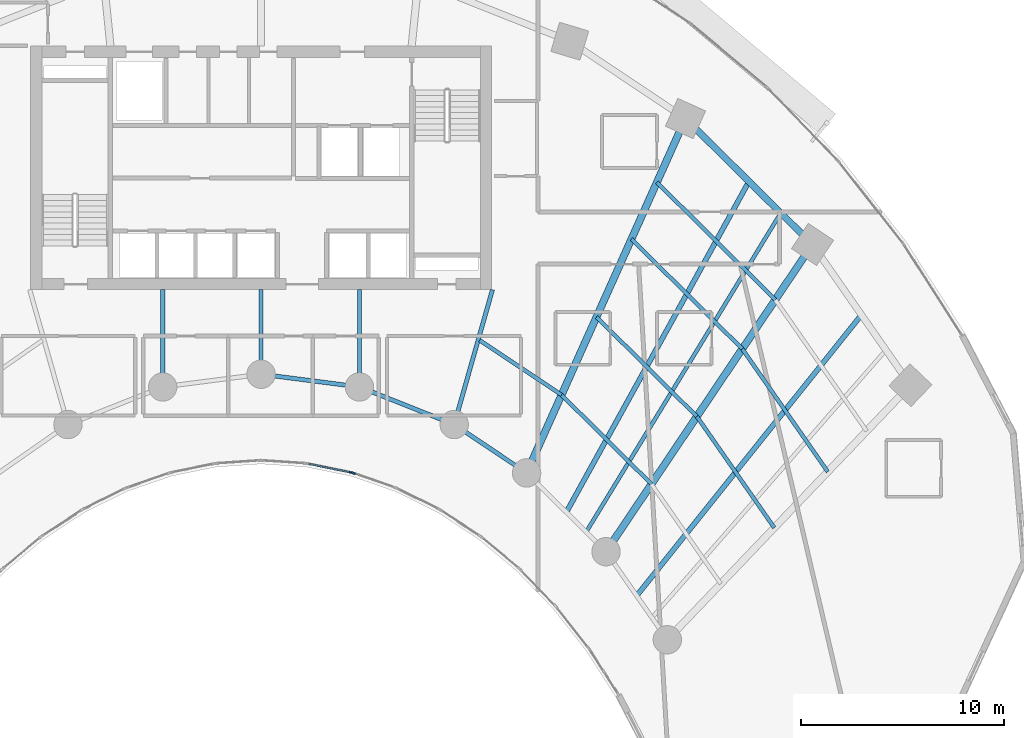
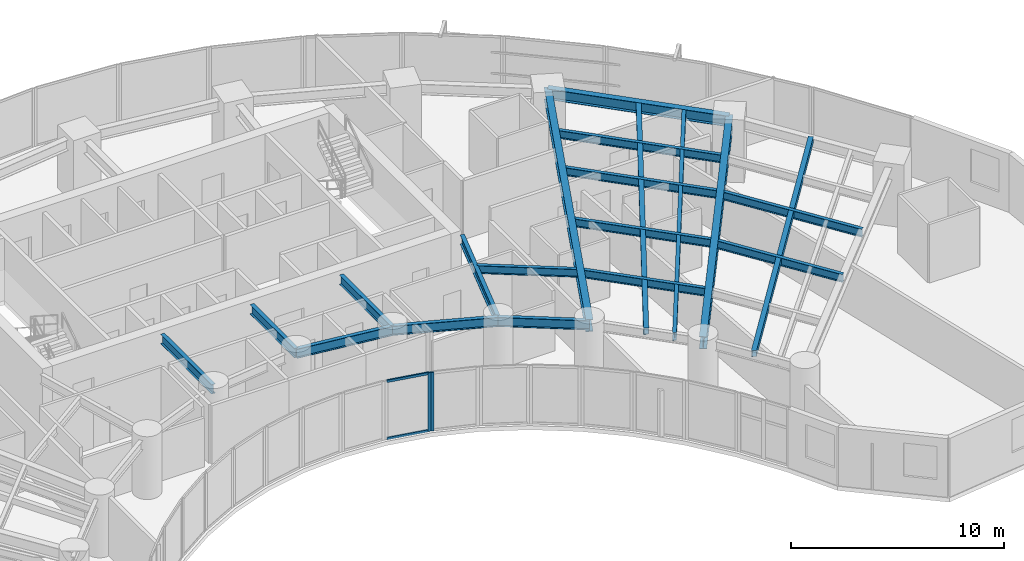
# One storey, part 5 of 17: 20 beams, 4 members, 2 elements without a shape of their own.
"""IFC4 building model written with IfcOpenShell, lengths in metres."""

import ifcopenshell
import ifcopenshell.guid

model = None  # the IFC model being written
_history = None  # IfcOwnerHistory: only IFC2X3 demands one
_inside = {}  # id of a spatial element -> (the spatial element, [elements in it])
_under = {}  # id of a project, library or spatial element -> (it, [spatial elements below it])
_declared = {}  # id of a project -> (the project, [libraries it declares])
_typed = {}  # id of a type object -> (the type object, [elements of that type])
_made_of = {}  # id of a material, layer set ... -> (it, [elements and type objects made of it])


def new_model(schema):
    """Start an empty IFC model of exactly this schema.

    Asked for "IFC4X3", IfcOpenShell would pick the latest addendum, in which some entities
    have other attributes; the version numbers below select the first issue.
    IFC2X3 requires an IfcOwnerHistory on every rooted entity: one is made here for all.
    """
    global model, _history
    if schema == "IFC4X3":
        model = ifcopenshell.file(schema_version=(4, 3, 0, 0))
    else:
        model = ifcopenshell.file(schema=schema)
    _inside.clear()
    _under.clear()
    _declared.clear()
    _typed.clear()
    _made_of.clear()
    _history = None
    if model.schema == "IFC2X3":
        org = make("IfcOrganization", Name="unknown")
        user = make(
            "IfcPersonAndOrganization",
            ThePerson=make("IfcPerson", FamilyName="unknown"),
            TheOrganization=org,
        )
        app = make(
            "IfcApplication",
            ApplicationDeveloper=org,
            Version="unknown",
            ApplicationFullName="unknown",
            ApplicationIdentifier="unknown",
        )
        _history = make(
            "IfcOwnerHistory",
            OwningUser=user,
            OwningApplication=app,
            ChangeAction="ADDED",
            CreationDate=0,
        )
    return model


def make(cls, **values):
    """One entity of the class cls with the attributes given. An attribute that is None is left unset."""
    return model.create_entity(
        cls, **{name: value for name, value in values.items() if value is not None}
    )


def rooted(cls, **values):
    """An entity with a GlobalId (a new one), such as an element, a storey or a relation."""
    return make(cls, GlobalId=ifcopenshell.guid.new(), OwnerHistory=_history, **values)


def si_unit(unit_type, name, prefix=None):
    """IfcSIUnit, for example si_unit("LENGTHUNIT", "METRE", prefix="MILLI")."""
    return make("IfcSIUnit", UnitType=unit_type, Prefix=prefix, Name=name)


def assignment(units):
    """IfcUnitAssignment: the units of a project."""
    return None if units is None else make("IfcUnitAssignment", Units=units)


def point(xyz):
    """IfcCartesianPoint."""
    return None if xyz is None else make("IfcCartesianPoint", Coordinates=xyz)


def direction(xyz):
    """IfcDirection."""
    return None if xyz is None else make("IfcDirection", DirectionRatios=xyz)


def frame(location, z_axis=None, x_axis=None):
    """IfcAxis2Placement3D, a coordinate frame: its origin and axes. An axis left out is left unset."""
    return make(
        "IfcAxis2Placement3D",
        Location=point(location),
        Axis=direction(z_axis),
        RefDirection=direction(x_axis),
    )


def frame_2d(location, x_axis=None):
    """IfcAxis2Placement2D, a coordinate frame in the plane: its origin and x axis."""
    return make(
        "IfcAxis2Placement2D", Location=point(location), RefDirection=direction(x_axis)
    )


def origin():
    """The frame at (0, 0, 0) with its axes left unset."""
    return frame((0.0, 0.0, 0.0))


def origin_2d():
    """The frame at (0, 0) in the plane with its x axis left unset."""
    return frame_2d((0.0, 0.0))


def place(relative_to, where):
    """IfcLocalPlacement: puts the frame where relative to a parent placement (None: the world)."""
    return make(
        "IfcLocalPlacement", PlacementRelTo=relative_to, RelativePlacement=where
    )


def context(
    kind, dimensions, precision=None, world=None, true_north=None, identifier=None
):
    """IfcGeometricRepresentationContext, for example the 3D "Model" context."""
    return make(
        "IfcGeometricRepresentationContext",
        ContextIdentifier=identifier,
        ContextType=kind,
        CoordinateSpaceDimension=dimensions,
        Precision=precision,
        WorldCoordinateSystem=world,
        TrueNorth=true_north,
    )


def subcontext(parent, identifier, kind, view, scale=None):
    """IfcGeometricRepresentationSubContext, for example "Body" below "Model"."""
    return make(
        "IfcGeometricRepresentationSubContext",
        ContextIdentifier=identifier,
        ContextType=kind,
        ParentContext=parent,
        TargetScale=scale,
        TargetView=view,
    )


def project(units=None, contexts=None):
    """IfcProject with its units and contexts."""
    return rooted(
        "IfcProject",
        Name="project",
        RepresentationContexts=contexts,
        UnitsInContext=assignment(units),
    )


def spatial(cls, under=None, at=None, **own):
    """A site, building, storey or space (cls), placed at a placement, below another one or the project."""
    s = rooted(cls, ObjectPlacement=at, **own)
    if under is not None:
        _under.setdefault(under.id(), (under, []))[1].append(s)
    return s


def profile(cls, at=None, kind="AREA", **sizes):
    """A parametric profile (cls). Its sizes go by their IFC names, for example OverallWidth=200.0."""
    return make(cls, ProfileType=kind, Position=at, **sizes)


def rectangle(**sizes):
    """IfcRectangleProfileDef."""
    return profile("IfcRectangleProfileDef", **sizes)


def hollow_rectangle(**sizes):
    """IfcRectangleHollowProfileDef."""
    return profile("IfcRectangleHollowProfileDef", **sizes)


def i_section(**sizes):
    """IfcIShapeProfileDef."""
    return profile("IfcIShapeProfileDef", **sizes)


def extrude(swept, where, along, depth):
    """IfcExtrudedAreaSolid: the profile swept, set in the frame where, extruded along a direction by depth."""
    return make(
        "IfcExtrudedAreaSolid",
        SweptArea=swept,
        Position=where,
        ExtrudedDirection=direction(along),
        Depth=depth,
    )


def shape(context_of_items, identifier, shape_type, items):
    """IfcShapeRepresentation: the items that make up one representation, for example the "Body"."""
    return make(
        "IfcShapeRepresentation",
        ContextOfItems=context_of_items,
        RepresentationIdentifier=identifier,
        RepresentationType=shape_type,
        Items=items,
    )


def source(mapping_origin, context_of_items, identifier, shape_type, items):
    """IfcRepresentationMap: a shape defined once, which mapped items show again and again."""
    return make(
        "IfcRepresentationMap",
        MappingOrigin=mapping_origin,
        MappedRepresentation=shape(context_of_items, identifier, shape_type, items),
    )


def transform(
    local_origin,
    x_axis=None,
    y_axis=None,
    z_axis=None,
    scale=None,
    scale2=None,
    scale3=None,
    uniform=True,
):
    """IfcCartesianTransformationOperator3D, or its non-uniform kind. x_axis, y_axis, z_axis: its Axis1, 2, 3."""
    if uniform:
        return make(
            "IfcCartesianTransformationOperator3D",
            Axis1=direction(x_axis),
            Axis2=direction(y_axis),
            LocalOrigin=point(local_origin),
            Scale=scale,
            Axis3=direction(z_axis),
        )
    return make(
        "IfcCartesianTransformationOperator3DnonUniform",
        Axis1=direction(x_axis),
        Axis2=direction(y_axis),
        LocalOrigin=point(local_origin),
        Scale=scale,
        Axis3=direction(z_axis),
        Scale2=scale2,
        Scale3=scale3,
    )


def mapped(mapping_source, mapping_target):
    """IfcMappedItem: shows the shape of a source again, moved by a transform."""
    return make(
        "IfcMappedItem", MappingSource=mapping_source, MappingTarget=mapping_target
    )


def material(Name=None, Category=None):
    """IfcMaterial."""
    return make("IfcMaterial", Name=Name, Category=Category)


def layer(
    of_material, thickness, ventilated=None, Name=None, Category=None, Priority=None
):
    """IfcMaterialLayer: one layer of a wall or slab, of a material (None: an air gap)."""
    return make(
        "IfcMaterialLayer",
        Material=of_material,
        LayerThickness=thickness,
        IsVentilated=ventilated,
        Name=Name,
        Category=Category,
        Priority=Priority,
    )


def layer_set(layers, Name=None):
    """IfcMaterialLayerSet."""
    return make("IfcMaterialLayerSet", MaterialLayers=layers, LayerSetName=Name)


def material_profile(
    of_material, cross_section, Name=None, Category=None, Priority=None
):
    """IfcMaterialProfile: a cross section and its material."""
    return make(
        "IfcMaterialProfile",
        Name=Name,
        Material=of_material,
        Profile=cross_section,
        Priority=Priority,
        Category=Category,
    )


def profile_set(profiles, Name=None, composite=None):
    """IfcMaterialProfileSet."""
    return make(
        "IfcMaterialProfileSet",
        Name=Name,
        MaterialProfiles=profiles,
        CompositeProfile=composite,
    )


def made_of(thing, what):
    """Note that an element or type object is made of a material, layer set ...; save() writes the relation."""
    if what is not None:
        _made_of.setdefault(what.id(), (what, []))[1].append(thing)
    return thing


def type_object(cls, material=None, **own):
    """A type object (cls), such as IfcWallType, which elements share."""
    return made_of(rooted(cls, **own), material)


def type_shapes(of_type, sources):
    """Give a type object the sources (RepresentationMaps) that its elements show as mapped items."""
    of_type.RepresentationMaps = sources


def element(
    cls,
    number,
    at=None,
    inside=None,
    cuts=None,
    type_object=None,
    material=None,
    context=None,
    identifier="Body",
    shape_type=None,
    held_by="IfcProductDefinitionShape",
    body=None,
    shapes=None,
    **own,
):
    """One element of the class cls, such as IfcWall. Its Tag is "e" and its number.

    at: its placement. inside: the storey or other place that contains it. cuts: it is an
    opening in that element (IfcRelVoidsElement). A single representation is given by context,
    identifier, shape_type and body (its items); several are given by shapes. held_by: the class
    of the entity that holds the representations. save() writes the other relations.
    """
    e = rooted(cls, Tag="e%d" % number, ObjectPlacement=at, **own)
    if body is not None:
        shapes = [shape(context, identifier, shape_type, body)]
    if shapes is not None:
        e.Representation = make(held_by, Representations=shapes)
    if inside is not None:
        _inside.setdefault(inside.id(), (inside, []))[1].append(e)
    if cuts is not None:
        rooted(
            "IfcRelVoidsElement", RelatingBuildingElement=cuts, RelatedOpeningElement=e
        )
    if type_object is not None:
        _typed.setdefault(type_object.id(), (type_object, []))[1].append(e)
    return made_of(e, material)


def aggregate(whole, parts):
    """IfcRelAggregates: a whole, such as a stair, and the parts it consists of."""
    return rooted("IfcRelAggregates", RelatingObject=whole, RelatedObjects=parts)


def save(model, path):
    """Write the relations noted so far, then the file.

    IfcRelAggregates (storeys below a building ...), IfcRelContainedInSpatialStructure (elements
    in a storey), IfcRelDefinesByType, IfcRelAssociatesMaterial and IfcRelDeclares: one each for
    every whole, place, type object, material and project.
    """
    for whole, parts in _under.values():
        aggregate(whole, parts)
    for where, things in _inside.values():
        rooted(
            "IfcRelContainedInSpatialStructure",
            RelatedElements=things,
            RelatingStructure=where,
        )
    for kind, things in _typed.values():
        rooted("IfcRelDefinesByType", RelatedObjects=things, RelatingType=kind)
    for what, things in _made_of.values():
        rooted("IfcRelAssociatesMaterial", RelatedObjects=things, RelatingMaterial=what)
    for by, libraries in _declared.values():
        rooted("IfcRelDeclares", RelatingContext=by, RelatedDefinitions=libraries)
    model.write(path)


model = new_model("IFC4")

# Units and contexts
model_context = context("Model", 3, precision=1e-05, world=origin(), true_north=direction((0.0, 1.0)))
body_context = subcontext(model_context, "Body", "Model", "MODEL_VIEW")
ifc_project = project(units=[si_unit("LENGTHUNIT", "METRE"), si_unit("AREAUNIT", "SQUARE_METRE"), si_unit("VOLUMEUNIT", "CUBIC_METRE"), si_unit("PLANEANGLEUNIT", "RADIAN"), si_unit("MASSUNIT", "GRAM", prefix="KILO")], contexts=[model_context])

# Site, building, storey
site_placement = place(None, origin())
site = spatial("IfcSite", under=ifc_project, at=site_placement, CompositionType="ELEMENT")
building_placement = place(site_placement, origin())
building = spatial("IfcBuilding", under=site, at=building_placement, Name="Breltana Convention Tower", CompositionType="ELEMENT")
storey_placement = place(building_placement, frame((0.0, 0.0, 78.60009765625)))
storey = spatial("IfcBuildingStorey", under=building, at=storey_placement, Name="L18", CompositionType="ELEMENT", Elevation=78.60009765625)

# Beams
ifc_material_1 = material(Name="Steel ASTM A992 Grade 50", Category="steel")
ifc_material_profile_1 = material_profile(ifc_material_1, i_section(OverallWidth=0.323974609375, OverallDepth=0.611083984375, WebThickness=0.0126953125, FlangeThickness=0.01904296875, at=origin_2d()), Name="W24X104")
ifc_profile_set_1 = profile_set([ifc_material_profile_1], Name="Steel ASTM A992 Grade 50")
beam_type_1 = type_object("IfcBeamType", Name="BM-SP-W24X104", PredefinedType="SPANDREL", material=ifc_profile_set_1)
shared_shape_1 = source(origin(), body_context, "Body", "SweptSolid", [
    extrude(i_section(OverallWidth=0.323974609375, OverallDepth=0.611083984375, WebThickness=0.0126953125, FlangeThickness=0.01904296875, at=origin_2d()), origin(), (0.0, 0.0, 1.0), 8.810302734375),
])
beam_1_placement = place(storey_placement, frame((68.910400390625, 68.63330078125, 3.054443359375), z_axis=(0.710120823582, -0.704079836322, 0.0), x_axis=(0.704079836322, 0.710120823582, 0.0)))
element("IfcBeam", 1, at=beam_1_placement, inside=storey, type_object=beam_type_1, Name="L18 Outer Spandrel Beam 09", PredefinedType="SPANDREL", context=body_context, shape_type="MappedRepresentation", body=[
    mapped(shared_shape_1, transform((0.0, 0.0, 0.0), scale=1.0)),
])
ifc_material_profile_2 = material_profile(ifc_material_1, i_section(OverallWidth=0.2099609375, OverallDepth=0.537109375, WebThickness=0.010986328125, FlangeThickness=0.017333984375, at=origin_2d()), Name="W21X68")
ifc_profile_set_2 = profile_set([ifc_material_profile_2], Name="Steel ASTM A992 Grade 50")
beam_type_2 = type_object("IfcBeamType", Name="BM-BM-W21X68", PredefinedType="BEAM", material=ifc_profile_set_2)
shared_shape_2 = source(origin(), body_context, "Body", "SweptSolid", [
    extrude(i_section(OverallWidth=0.2099609375, OverallDepth=0.537109375, WebThickness=0.010986328125, FlangeThickness=0.017333984375, at=origin_2d()), origin(), (0.0, 0.0, 1.0), 6.904541015625),
])
type_shapes(beam_type_2, [shared_shape_2])
beam_2_placement = place(storey_placement, frame((59.39990234375, 60.199951171875, 3.09130859375), z_axis=(-0.273006781054, -0.962012108811, 0.0), x_axis=(0.962012108811, -0.273006781054, 0.0)))
element("IfcBeam", 2, at=beam_2_placement, inside=storey, type_object=beam_type_2, Name="L18 South Core Tie Girder R08", PredefinedType="BEAM", context=body_context, shape_type="MappedRepresentation", body=[
    mapped(shared_shape_2, transform((0.0, 0.0, 0.0), scale=1.0)),
])
shared_shape_3 = source(origin(), body_context, "Body", "SweptSolid", [
    extrude(i_section(OverallWidth=0.2099609375, OverallDepth=0.537109375, WebThickness=0.010986328125, FlangeThickness=0.017333984375, at=origin_2d()), origin(), (0.0, 0.0, 1.0), 4.789306640625),
])
for number, where, z_axis, x_axis, name in (
    (3, (43.153564453125, 60.199951171875, 3.09130859375), (0.0, -1.0, 0.0), (1.0, 0.0, 0.0), "L18 South Core Tie Girder R05"),
    (4, (52.846435546875, 60.199951171875, 3.09130859375), (0.0, -1.0, 0.0), (1.0, 0.0, 0.0), "L18 South Core Tie Girder R07"),
):
    element("IfcBeam", number, at=place(storey_placement, frame(where, z_axis=z_axis, x_axis=x_axis)), inside=storey, type_object=beam_type_2, Name=name, PredefinedType="BEAM", context=body_context, shape_type="MappedRepresentation", body=[
        mapped(shared_shape_3, transform((0.0, 0.0, 0.0), scale=1.0)),
    ])
shared_shape_4 = source(origin(), body_context, "Body", "SweptSolid", [
    extrude(i_section(OverallWidth=0.2099609375, OverallDepth=0.537109375, WebThickness=0.010986328125, FlangeThickness=0.017333984375, at=origin_2d()), origin(), (0.0, 0.0, 1.0), 4.1640625),
])
beam_3_placement = place(storey_placement, frame((48.0, 60.199951171875, 3.09130859375), z_axis=(0.0, -1.0, 0.0), x_axis=(1.0, 0.0, 0.0)))
element("IfcBeam", 5, at=beam_3_placement, inside=storey, type_object=beam_type_2, Name="L18 South Core Tie Girder R06", PredefinedType="BEAM", context=body_context, shape_type="MappedRepresentation", body=[
    mapped(shared_shape_4, transform((0.0, 0.0, 0.0), scale=1.0)),
])
ifc_material_profile_3 = material_profile(ifc_material_1, i_section(OverallWidth=0.35498046875, OverallDepth=0.696044921875, WebThickness=0.015380859375, FlangeThickness=0.02490234375, at=origin_2d()), Name="W27X146")
ifc_profile_set_3 = profile_set([ifc_material_profile_3], Name="Steel ASTM A992 Grade 50")
beam_type_3 = type_object("IfcBeamType", Name="BM-RG-W27X146", PredefinedType="USERDEFINED", material=ifc_profile_set_3)
shared_shape_5 = source(origin(), body_context, "Body", "SweptSolid", [
    extrude(i_section(OverallWidth=0.35498046875, OverallDepth=0.696044921875, WebThickness=0.015380859375, FlangeThickness=0.02490234375, at=origin_2d()), origin(), (0.0, 0.0, 1.0), 19.133544921875),
])
beam_4_placement = place(storey_placement, frame((61.08203125, 51.174560546875, 3.011962890625), z_axis=(0.409144564164, 0.912469575172, 0.0), x_axis=(-0.912469575172, 0.409144564164, 0.0)))
element("IfcBeam", 6, at=beam_4_placement, inside=storey, type_object=beam_type_3, Name="L18 Radial Floor Girder R09", ObjectType="GIRDER", PredefinedType="USERDEFINED", context=body_context, shape_type="MappedRepresentation", body=[
    mapped(shared_shape_5, transform((0.0, 0.0, 0.0), scale=1.0)),
])
shared_shape_6 = source(origin(), body_context, "Body", "SweptSolid", [
    extrude(i_section(OverallWidth=0.35498046875, OverallDepth=0.696044921875, WebThickness=0.015380859375, FlangeThickness=0.02490234375, at=origin_2d()), origin(), (0.0, 0.0, 1.0), 18.236328125),
])
beam_5_placement = place(storey_placement, frame((64.995849609375, 47.293701171875, 3.011962890625), z_axis=(0.557730360975, 0.830022195153, 0.0), x_axis=(-0.830022195153, 0.557730360975, 0.0)))
element("IfcBeam", 7, at=beam_5_placement, inside=storey, type_object=beam_type_3, Name="L18 Radial Floor Girder R10", ObjectType="GIRDER", PredefinedType="USERDEFINED", context=body_context, shape_type="MappedRepresentation", body=[
    mapped(shared_shape_6, transform((0.0, 0.0, 0.0), scale=1.0)),
])
shared_shape_7 = source(origin(), body_context, "Body", "SweptSolid", [
    extrude(i_section(OverallWidth=0.2099609375, OverallDepth=0.537109375, WebThickness=0.010986328125, FlangeThickness=0.017333984375, at=origin_2d()), origin(), (0.0, 0.0, 1.0), 5.022705078125),
])
beam_6_placement = place(storey_placement, frame((52.846435546875, 55.41064453125, 3.09130859375), z_axis=(0.929458966248, -0.368925507469, 0.0), x_axis=(0.368925507469, 0.929458966248, 0.0)))
element("IfcBeam", 8, at=beam_6_placement, inside=storey, type_object=beam_type_2, Name="L18 Inner Ring Beam 07", PredefinedType="BEAM", context=body_context, shape_type="MappedRepresentation", body=[
    mapped(shared_shape_7, transform((0.0, 0.0, 0.0), scale=1.0)),
])
shared_shape_8 = source(origin(), body_context, "Body", "SweptSolid", [
    extrude(i_section(OverallWidth=0.2099609375, OverallDepth=0.537109375, WebThickness=0.010986328125, FlangeThickness=0.017333984375, at=origin_2d()), origin(), (0.0, 0.0, 1.0), 4.88671875),
])
beam_7_placement = place(storey_placement, frame((48.0, 56.035888671875, 3.09130859375), z_axis=(0.991780525565, -0.127950729231, 0.0), x_axis=(0.127950729231, 0.991780525565, 0.0)))
element("IfcBeam", 9, at=beam_7_placement, inside=storey, type_object=beam_type_2, Name="L18 Inner Ring Beam 06", PredefinedType="BEAM", context=body_context, shape_type="MappedRepresentation", body=[
    mapped(shared_shape_8, transform((0.0, 0.0, 0.0), scale=1.0)),
])
shared_shape_9 = source(origin(), body_context, "Body", "SweptSolid", [
    extrude(i_section(OverallWidth=0.2099609375, OverallDepth=0.537109375, WebThickness=0.010986328125, FlangeThickness=0.017333984375, at=origin_2d()), origin(), (0.0, 0.0, 1.0), 4.2900390625),
])
beam_8_placement = place(storey_placement, frame((57.514892578125, 53.5576171875, 3.09130859375), z_axis=(0.831515827753, -0.555501060482, 0.0), x_axis=(0.555501060482, 0.831515827753, 0.0)))
element("IfcBeam", 10, at=beam_8_placement, inside=storey, type_object=beam_type_2, Name="L18 Inner Ring Beam 08", PredefinedType="BEAM", context=body_context, shape_type="MappedRepresentation", body=[
    mapped(shared_shape_9, transform((0.0, 0.0, 0.0), scale=1.0)),
])
ifc_material_profile_4 = material_profile(ifc_material_1, i_section(OverallWidth=0.19091796875, OverallDepth=0.4599609375, WebThickness=0.010009765625, FlangeThickness=0.01611328125, at=origin_2d()), Name="W18X55")
ifc_profile_set_4 = profile_set([ifc_material_profile_4], Name="Steel ASTM A992 Grade 50")
beam_type_4 = type_object("IfcBeamType", Name="BM-JSG-07", PredefinedType="JOIST", material=ifc_profile_set_4)
shared_shape_10 = source(origin(), body_context, "Body", "SweptSolid", [
    extrude(i_section(OverallWidth=0.19091796875, OverallDepth=0.4599609375, WebThickness=0.010009765625, FlangeThickness=0.01611328125, at=origin_2d()), origin(), (0.0, 0.0, 1.0), 4.854736328125),
])
beam_9_placement = place(storey_placement, frame((58.767578125, 57.71240234375, 3.1298828125), z_axis=(0.831485074305, -0.555547091801, 0.0), x_axis=(0.555547091801, 0.831485074305, 0.0)))
element("IfcBeam", 11, at=beam_9_placement, inside=storey, type_object=beam_type_4, Name="L18 Composite Floor Joist 08.1", PredefinedType="JOIST", context=body_context, shape_type="MappedRepresentation", body=[
    mapped(shared_shape_10, transform((0.0, 0.0, 0.0), scale=1.0)),
])
shared_shape_11 = source(origin(), body_context, "Body", "SweptSolid", [
    extrude(i_section(OverallWidth=0.19091796875, OverallDepth=0.4599609375, WebThickness=0.010009765625, FlangeThickness=0.01611328125, at=origin_2d()), origin(), (0.0, 0.0, 1.0), 6.2373046875),
])
beam_10_placement = place(storey_placement, frame((62.80419921875, 55.015380859375, 3.1298828125), z_axis=(0.710114292485, -0.704086423394, 0.0), x_axis=(0.704086423394, 0.710114292485, 0.0)))
element("IfcBeam", 12, at=beam_10_placement, inside=storey, type_object=beam_type_4, Name="L18 Composite Floor Joist 09.1", PredefinedType="JOIST", context=body_context, shape_type="MappedRepresentation", body=[
    mapped(shared_shape_11, transform((0.0, 0.0, 0.0), scale=1.0)),
])
shared_shape_12 = source(origin(), body_context, "Body", "SweptSolid", [
    extrude(i_section(OverallWidth=0.19091796875, OverallDepth=0.4599609375, WebThickness=0.010009765625, FlangeThickness=0.01611328125, at=origin_2d()), origin(), (0.0, 0.0, 1.0), 6.963134765625),
])
beam_11_placement = place(storey_placement, frame((64.526611328125, 58.8564453125, 3.1298828125), z_axis=(0.71009817493, -0.704102678564, 0.0), x_axis=(0.704102678564, 0.71009817493, 0.0)))
element("IfcBeam", 13, at=beam_11_placement, inside=storey, type_object=beam_type_4, Name="L18 Composite Floor Joist 09.2", PredefinedType="JOIST", context=body_context, shape_type="MappedRepresentation", body=[
    mapped(shared_shape_12, transform((0.0, 0.0, 0.0), scale=1.0)),
])
shared_shape_13 = source(origin(), body_context, "Body", "SweptSolid", [
    extrude(i_section(OverallWidth=0.19091796875, OverallDepth=0.4599609375, WebThickness=0.010009765625, FlangeThickness=0.01611328125, at=origin_2d()), origin(), (0.0, 0.0, 1.0), 7.688720703125),
])
beam_12_placement = place(storey_placement, frame((66.248779296875, 62.697265625, 3.1298828125), z_axis=(0.710101109809, -0.704099718682, 0.0), x_axis=(0.704099718682, 0.710101109809, 0.0)))
element("IfcBeam", 14, at=beam_12_placement, inside=storey, type_object=beam_type_4, Name="L18 Composite Floor Joist 09.3", PredefinedType="JOIST", context=body_context, shape_type="MappedRepresentation", body=[
    mapped(shared_shape_13, transform((0.0, 0.0, 0.0), scale=1.0)),
])
shared_shape_14 = source(origin(), body_context, "Body", "SweptSolid", [
    extrude(i_section(OverallWidth=0.19091796875, OverallDepth=0.4599609375, WebThickness=0.010009765625, FlangeThickness=0.01611328125, at=origin_2d()), origin(), (0.0, 0.0, 1.0), 8.21630859375),
])
beam_13_placement = place(storey_placement, frame((67.50146484375, 65.49072265625, 3.1298828125), z_axis=(0.710101511063, -0.704099314008, 0.0), x_axis=(0.704099314008, 0.710101511063, 0.0)))
element("IfcBeam", 15, at=beam_13_placement, inside=storey, type_object=beam_type_4, Name="L18 Composite Floor Joist 09.4", PredefinedType="JOIST", context=body_context, shape_type="MappedRepresentation", body=[
    mapped(shared_shape_14, transform((0.0, 0.0, 0.0), scale=1.0)),
])
ifc_material_profile_5 = material_profile(ifc_material_1, hollow_rectangle(XDim=0.25, YDim=0.35009765625, WallThickness=0.011962890625, at=origin_2d()), Name="RHS350X250X12")
ifc_profile_set_5 = profile_set([ifc_material_profile_5], Name="Steel ASTM A992 Grade 50")
beam_type_5 = type_object("IfcBeamType", Name="BM-JSG-12", PredefinedType="JOIST", material=ifc_profile_set_5)
shared_shape_15 = source(origin(), body_context, "Body", "SweptSolid", [
    extrude(hollow_rectangle(XDim=0.25, YDim=0.35009765625, WallThickness=0.011962890625, at=origin_2d()), origin(), (0.0, 0.0, 1.0), 18.617431640625),
])
beam_14_placement = place(storey_placement, frame((63.038818359375, 49.234130859375, 3.184814453125), z_axis=(0.483405602507, 0.875396495004, 0.0), x_axis=(-0.875396495004, 0.483405602507, 0.0)))
element("IfcBeam", 16, at=beam_14_placement, inside=storey, type_object=beam_type_5, Name="L18 Mid-Bay Radial Trimmer 09", PredefinedType="JOIST", context=body_context, shape_type="MappedRepresentation", body=[
    mapped(shared_shape_15, transform((0.0, 0.0, 0.0), scale=1.0)),
])
shared_shape_16 = source(origin(), body_context, "Body", "SweptSolid", [
    extrude(i_section(OverallWidth=0.19091796875, OverallDepth=0.4599609375, WebThickness=0.010009765625, FlangeThickness=0.01611328125, at=origin_2d()), origin(), (0.0, 0.0, 1.0), 18.409423828125),
])
beam_15_placement = place(storey_placement, frame((64.017333984375, 48.263916015625, 3.1298828125), z_axis=(0.520682167606, 0.853750596098, 0.0), x_axis=(-0.853750596098, 0.520682167606, 0.0)))
element("IfcBeam", 17, at=beam_15_placement, inside=storey, type_object=beam_type_4, Name="L18 Quarter-Bay Radial Trimmer 09", PredefinedType="JOIST", context=body_context, shape_type="MappedRepresentation", body=[
    mapped(shared_shape_16, transform((0.0, 0.0, 0.0), scale=1.0)),
])
shared_shape_17 = source(origin(), body_context, "Body", "SweptSolid", [
    extrude(i_section(OverallWidth=0.19091796875, OverallDepth=0.4599609375, WebThickness=0.010009765625, FlangeThickness=0.01611328125, at=origin_2d()), origin(), (0.0, 0.0, 1.0), 6.677978515625),
])
beam_16_placement = place(storey_placement, frame((69.47119140625, 53.95361328125, 3.1298828125), z_axis=(0.571193018768, -0.820815774282, 0.0), x_axis=(0.820815774282, 0.571193018768, 0.0)))
element("IfcBeam", 18, at=beam_16_placement, inside=storey, type_object=beam_type_4, Name="L18 Composite Floor Joist 10.2", PredefinedType="JOIST", context=body_context, shape_type="MappedRepresentation", body=[
    mapped(shared_shape_17, transform((0.0, 0.0, 0.0), scale=1.0)),
])
shared_shape_18 = source(origin(), body_context, "Body", "SweptSolid", [
    extrude(i_section(OverallWidth=0.19091796875, OverallDepth=0.4599609375, WebThickness=0.010009765625, FlangeThickness=0.01611328125, at=origin_2d()), origin(), (0.0, 0.0, 1.0), 7.374267578125),
])
beam_17_placement = place(storey_placement, frame((71.70849609375, 57.28369140625, 3.1298828125), z_axis=(0.571229379406, -0.820790470281, 0.0), x_axis=(0.820790470281, 0.571229379406, 0.0)))
element("IfcBeam", 19, at=beam_17_placement, inside=storey, type_object=beam_type_4, Name="L18 Composite Floor Joist 10.3", PredefinedType="JOIST", context=body_context, shape_type="MappedRepresentation", body=[
    mapped(shared_shape_18, transform((0.0, 0.0, 0.0), scale=1.0)),
])
shared_shape_19 = source(origin(), body_context, "Body", "SweptSolid", [
    extrude(hollow_rectangle(XDim=0.25, YDim=0.35009765625, WallThickness=0.011962890625, at=origin_2d()), origin(), (0.0, 0.0, 1.0), 17.7236328125),
])
beam_18_placement = place(storey_placement, frame((66.505615234375, 45.124267578125, 3.184814453125), z_axis=(0.624829427563, 0.78076128647, 0.0), x_axis=(-0.78076128647, 0.624829427563, 0.0)))
element("IfcBeam", 20, at=beam_18_placement, inside=storey, type_object=beam_type_5, Name="L18 Mid-Bay Radial Trimmer 10", PredefinedType="JOIST", context=body_context, shape_type="MappedRepresentation", body=[
    mapped(shared_shape_19, transform((0.0, 0.0, 0.0), scale=1.0)),
])

# Curtain wall, members
ifc_material_2 = material(Name="Aluminium Anodised Bronze Frame", Category="aluminium")
ifc_layer = layer(ifc_material_2, 0.18994140625, Name="Aluminium Anodised Bronze Frame")
ifc_layer_set = layer_set([ifc_layer], Name="Aluminium Anodised Bronze Frame")
curtain_wall_type = type_object("IfcCurtainWallType", Name="CW-SYS-1", PredefinedType="NOTDEFINED", material=ifc_layer_set)
curtain_wall_1_placement = place(storey_placement, origin())
curtain_wall_1 = element("IfcCurtainWall", 21, at=curtain_wall_1_placement, inside=storey, type_object=curtain_wall_type, Name="L18 inner south-court glazing 8", PredefinedType="NOTDEFINED")
ifc_material_3 = material(Name="Aluminium Anodised Bronze", Category="aluminium")
ifc_material_profile_6 = material_profile(ifc_material_3, rectangle(XDim=0.080078125, YDim=0.139892578125, at=origin_2d()), Name="CWT-80X140")
ifc_profile_set_6 = profile_set([ifc_material_profile_6], Name="Aluminium Anodised Bronze")
member_type_1 = type_object("IfcMemberType", Name="CWT-140", PredefinedType="USERDEFINED", material=ifc_profile_set_6)
shared_shape_20 = source(origin(), body_context, "Body", "SweptSolid", [
    extrude(rectangle(XDim=0.080078125, YDim=0.139892578125, at=origin_2d()), origin(), (0.0, 0.0, 1.0), 2.096435546875),
])
member_1_placement = place(storey_placement, frame((52.401611328125, 51.201416015625, 0.039794921875), z_axis=(-0.979615042233, 0.200883969074, 0.0), x_axis=(-0.200883969074, -0.979615042233, 0.0)))
member_1 = element("IfcMember", 22, at=member_1_placement, type_object=member_type_1, Name="CW-01 transom 1.1", ObjectType="TRANSOM", PredefinedType="USERDEFINED", context=body_context, shape_type="MappedRepresentation", body=[
    mapped(shared_shape_20, transform((0.0, 0.0, 0.0), scale=1.0)),
])
member_2_placement = place(storey_placement, frame((52.401611328125, 51.201416015625, 3.31982421875), z_axis=(-0.979615042233, 0.200883969074, 0.0), x_axis=(-0.200883969074, -0.979615042233, 0.0)))
member_2 = element("IfcMember", 23, at=member_2_placement, type_object=member_type_1, Name="CW-01 transom 1.2", ObjectType="TRANSOM", PredefinedType="USERDEFINED", context=body_context, shape_type="MappedRepresentation", body=[
    mapped(shared_shape_20, transform((0.0, 0.0, 0.0), scale=1.0)),
])

# Curtain wall, member
curtain_wall_2_placement = place(storey_placement, origin())
curtain_wall_2 = element("IfcCurtainWall", 24, at=curtain_wall_2_placement, inside=storey, type_object=curtain_wall_type, Name="L18 inner south-court glazing 7", PredefinedType="NOTDEFINED")
ifc_material_profile_7 = material_profile(ifc_material_3, rectangle(XDim=0.080078125, YDim=0.199951171875, at=origin_2d()), Name="CWM-80X200")
ifc_profile_set_7 = profile_set([ifc_material_profile_7], Name="Aluminium Anodised Bronze")
member_type_2 = type_object("IfcMemberType", Name="CWM-200", PredefinedType="MULLION", material=ifc_profile_set_7)
shared_shape_21 = source(origin(), body_context, "Body", "SweptSolid", [
    extrude(rectangle(XDim=0.080078125, YDim=0.199951171875, at=origin_2d()), origin(), (0.0, 0.0, 1.0), 3.35986328125),
])
member_3_placement = place(storey_placement, frame((52.54052734375, 51.166015625, 0.0), z_axis=(0.0, 0.0, 1.0), x_axis=(-0.327413341714, -0.944881211406, 0.0)))
member_3 = element("IfcMember", 25, at=member_3_placement, type_object=member_type_2, Name="CW-01 mullion 2", PredefinedType="MULLION", context=body_context, shape_type="MappedRepresentation", body=[
    mapped(shared_shape_21, transform((0.0, 0.0, 0.0), scale=1.0)),
])
aggregate(curtain_wall_2, [member_3])

# Member
member_4_placement = place(storey_placement, frame((52.44091796875, 51.193359375, 0.0), z_axis=(0.0, 0.0, 1.0), x_axis=(-0.200886350278, -0.97961455393, 0.0)))
member_4 = element("IfcMember", 26, at=member_4_placement, type_object=member_type_2, Name="CW-01 mullion 1", PredefinedType="MULLION", context=body_context, shape_type="MappedRepresentation", body=[
    mapped(shared_shape_21, transform((0.0, 0.0, 0.0), scale=1.0)),
])

aggregate(curtain_wall_1, [member_4, member_1, member_2])

save(model, "model.ifc")
